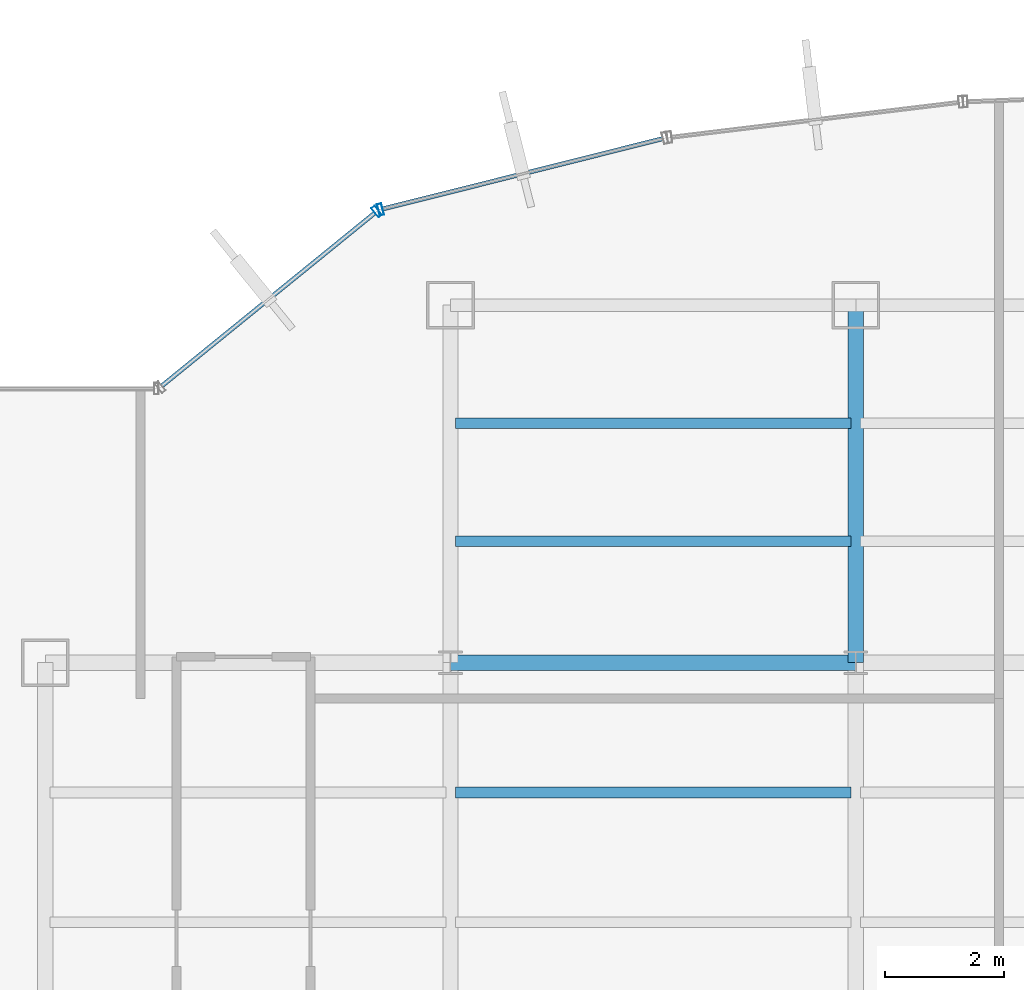
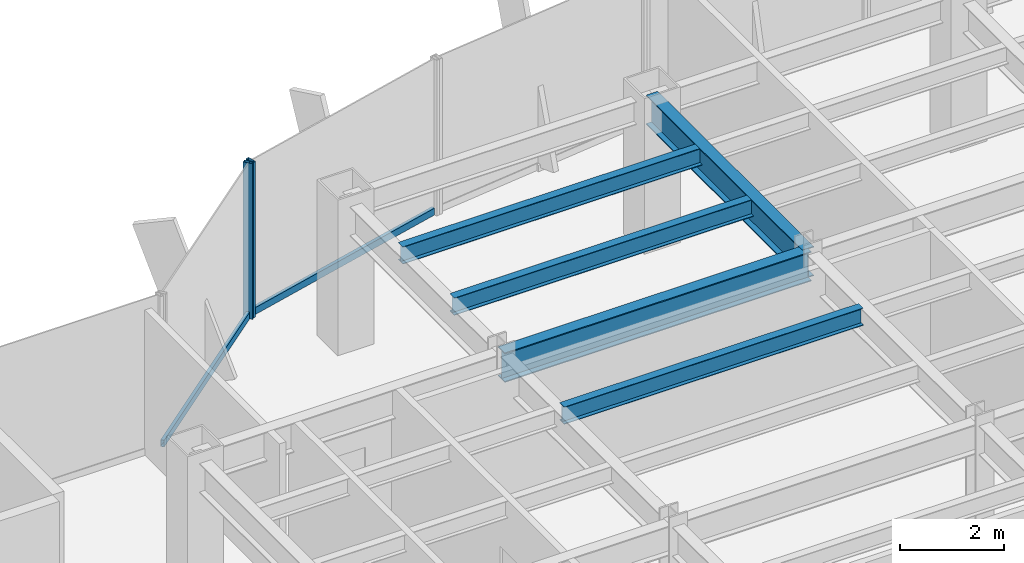
# One storey, part 14 of 26: 5 beams, 4 members, 2 elements without a shape of their own.
"""IFC4 building model written with IfcOpenShell, lengths in metres."""

from ifc_helpers import new_model, si_unit, derived_unit, direction, frame, origin, origin_2d, place, context, subcontext, project, spatial, hollow_rectangle, i_section, extrude, source, transform, mapped, material, material_profile, profile_set, type_object, element, aggregate, save


model = new_model("IFC4")

# Units and contexts
model_context = context("Model", 3, precision=1e-05, world=origin(), true_north=direction((0.0, 1.0)))
body_context = subcontext(model_context, "Body", "Model", "MODEL_VIEW")
ifc_project = project(units=[si_unit("LENGTHUNIT", "METRE"), si_unit("AREAUNIT", "SQUARE_METRE"), si_unit("VOLUMEUNIT", "CUBIC_METRE"), si_unit("PLANEANGLEUNIT", "RADIAN"), si_unit("MASSUNIT", "GRAM", prefix="KILO"), derived_unit("THERMALTRANSMITTANCEUNIT", [(si_unit("POWERUNIT", "WATT"), 1), (si_unit("LENGTHUNIT", "METRE"), -2), (si_unit("THERMODYNAMICTEMPERATUREUNIT", "KELVIN"), -1)])], contexts=[model_context])

# Site, building, storey
site_placement = place(None, origin())
site = spatial("IfcSite", under=ifc_project, at=site_placement, CompositionType="ELEMENT")
building_placement = place(site_placement, origin())
building = spatial("IfcBuilding", under=site, at=building_placement, Name="Skarnbrae Concourse Arena and Tower", CompositionType="ELEMENT")
storey_placement = place(building_placement, frame((0.0, 0.0, 125.14990234375)))
storey = spatial("IfcBuildingStorey", under=building, at=storey_placement, Name="L31", CompositionType="ELEMENT", Elevation=125.14990234375)

# Beams
ifc_material_1 = material(Name="Steel CSA G40.21 350W", Category="steel")
ifc_material_profile_1 = material_profile(ifc_material_1, i_section(OverallWidth=0.256103515625, OverallDepth=0.693115234375, WebThickness=0.014404296875, FlangeThickness=0.023681640625, at=origin_2d()), Name="W690X170")
ifc_profile_set_1 = profile_set([ifc_material_profile_1], Name="Steel CSA G40.21 350W")
beam_type_1 = type_object("IfcBeamType", Name="BM-GIRD-W690X170", PredefinedType="BEAM", material=ifc_profile_set_1)
shared_shape_1 = source(origin(), body_context, "Body", "SweptSolid", [
    extrude(i_section(OverallWidth=0.256103515625, OverallDepth=0.693115234375, WebThickness=0.014404296875, FlangeThickness=0.023681640625, at=origin_2d()), origin(), (0.0, 0.0, 1.0), 6.800048828125),
])
beam_1_placement = place(storey_placement, frame((14.39990234375, 34.39990234375, 3.0537109375), z_axis=(1.0, 0.0, 0.0), x_axis=(0.0, 1.0, 0.0)))
element("IfcBeam", 1, at=beam_1_placement, inside=storey, type_object=beam_type_1, Name="L31 Primary E-W girder Y34.4-2", PredefinedType="BEAM", context=body_context, shape_type="MappedRepresentation", body=[
    mapped(shared_shape_1, transform((0.0, 0.0, 0.0))),
])
shared_shape_2 = source(origin(), body_context, "Body", "SweptSolid", [
    extrude(i_section(OverallWidth=0.256103515625, OverallDepth=0.693115234375, WebThickness=0.014404296875, FlangeThickness=0.023681640625, at=origin_2d()), origin(), (0.0, 0.0, 1.0), 6.0),
])
beam_2_placement = place(storey_placement, frame((21.199951171875, 34.39990234375, 3.0537109375), z_axis=(0.0, 1.0, 0.0), x_axis=(-1.0, 0.0, 0.0)))
element("IfcBeam", 2, at=beam_2_placement, inside=storey, type_object=beam_type_1, Name="L31 Primary N-S girder X21.2-4", PredefinedType="BEAM", context=body_context, shape_type="MappedRepresentation", body=[
    mapped(shared_shape_2, transform((0.0, 0.0, 0.0))),
])
ifc_material_profile_2 = material_profile(ifc_material_1, i_section(OverallWidth=0.177978515625, OverallDepth=0.406982421875, WebThickness=0.0078125, FlangeThickness=0.0126953125, at=origin_2d()), Name="W410X60")
ifc_profile_set_2 = profile_set([ifc_material_profile_2], Name="Steel CSA G40.21 350W")
beam_type_2 = type_object("IfcBeamType", Name="BM-JOIST-W410X60", PredefinedType="JOIST", material=ifc_profile_set_2)
shared_shape_3 = source(origin(), body_context, "Body", "SweptSolid", [
    extrude(i_section(OverallWidth=0.177978515625, OverallDepth=0.406982421875, WebThickness=0.0078125, FlangeThickness=0.0126953125, at=origin_2d()), origin(), (0.0, 0.0, 1.0), 6.64013671875),
])
for number, where, z_axis, x_axis, name in (
    (3, (14.47998046875, 32.221923828125, 3.196533203125), (1.0, 0.0, 0.0), (0.0, 1.0, 0.0), "L31 Secondary floor joist 3.2.2"),
    (4, (14.47998046875, 36.43994140625, 3.196533203125), (1.0, 0.0, 0.0), (0.0, 1.0, 0.0), "L31 Secondary floor joist 4.1.1"),
    (5, (14.47998046875, 38.419921875, 3.196533203125), (1.0, 0.0, 0.0), (0.0, 1.0, 0.0), "L31 Secondary floor joist 4.2.1"),
):
    element("IfcBeam", number, at=place(storey_placement, frame(where, z_axis=z_axis, x_axis=x_axis)), inside=storey, type_object=beam_type_2, Name=name, PredefinedType="JOIST", context=body_context, shape_type="MappedRepresentation", body=[
        mapped(shared_shape_3, transform((0.0, 0.0, 0.0))),
    ])

# Curtain wall, member
ifc_material_2 = material(Name="Bronze anodised aluminium 6063-T6", Category="aluminium")
curtain_wall_type = type_object("IfcCurtainWallType", Name="CW-SYS-04-MIDZONE", PredefinedType="USERDEFINED", material=ifc_material_2)
curtain_wall_1_placement = place(storey_placement, origin())
curtain_wall_1 = element("IfcCurtainWall", 6, at=curtain_wall_1_placement, inside=storey, type_object=curtain_wall_type, Name="L31 Unitised curtain wall CW-L31-E14", ObjectType="UNITISED CURTAIN WALL", PredefinedType="USERDEFINED")
ifc_material_profile_3 = material_profile(ifc_material_2, hollow_rectangle(XDim=0.074951171875, YDim=0.195068359375, WallThickness=0.00439453125, at=origin_2d()), Name="ALU-MULL-75X195")
ifc_profile_set_3 = profile_set([ifc_material_profile_3], Name="Bronze anodised aluminium 6063-T6")
member_type_1 = type_object("IfcMemberType", Name="CWM-CW-04", PredefinedType="MULLION", material=ifc_profile_set_3)
shared_shape_4 = source(origin(), body_context, "Body", "SweptSolid", [
    extrude(hollow_rectangle(XDim=0.074951171875, YDim=0.195068359375, WallThickness=0.00439453125, at=origin_2d()), origin(), (0.0, 0.0, 1.0), 3.650146484375),
])
member_1_placement = place(storey_placement, frame((13.225341796875, 42.005126953125, 0.0), z_axis=(0.0, 0.0, 1.0), x_axis=(-0.969903046166, -0.243491439351, 0.0)))
member_1 = element("IfcMember", 7, at=member_1_placement, type_object=member_type_1, Name="CW-L31-E14 Mullion 2", PredefinedType="MULLION", context=body_context, shape_type="MappedRepresentation", body=[
    mapped(shared_shape_4, transform((0.0, 0.0, 0.0))),
])

# Curtain wall, members
curtain_wall_2_placement = place(storey_placement, origin())
curtain_wall_2 = element("IfcCurtainWall", 8, at=curtain_wall_2_placement, inside=storey, type_object=curtain_wall_type, Name="L31 Unitised curtain wall CW-L31-E15", ObjectType="UNITISED CURTAIN WALL", PredefinedType="USERDEFINED")
member_2_placement = place(storey_placement, frame((13.159912109375, 41.972412109375, 0.0), z_axis=(0.0, 0.0, 1.0), x_axis=(-0.776241200471, -0.630436038542, 0.0)))
member_2 = element("IfcMember", 9, at=member_2_placement, type_object=member_type_1, Name="CW-L31-E15 Mullion 1", PredefinedType="MULLION", context=body_context, shape_type="MappedRepresentation", body=[
    mapped(shared_shape_4, transform((0.0, 0.0, 0.0))),
])
ifc_material_profile_4 = material_profile(ifc_material_2, hollow_rectangle(XDim=0.074951171875, YDim=0.159912109375, WallThickness=0.00439453125, at=origin_2d()), Name="ALU-TRAN-75X160")
ifc_profile_set_4 = profile_set([ifc_material_profile_4], Name="Bronze anodised aluminium 6063-T6")
member_type_2 = type_object("IfcMemberType", Name="CWT-CW-04", PredefinedType="USERDEFINED", material=ifc_profile_set_4)
shared_shape_5 = source(origin(), body_context, "Body", "SweptSolid", [
    extrude(hollow_rectangle(XDim=0.074951171875, YDim=0.159912109375, WallThickness=0.00439453125, at=origin_2d()), origin(), (0.0, 0.0, 1.0), 4.602294921875),
])
member_3_placement = place(storey_placement, frame((13.130615234375, 41.94873046875, 0.080078125), z_axis=(-0.776251906445, -0.630422856297, 0.0), x_axis=(0.630422856297, -0.776251906445, 0.0)))
member_3 = element("IfcMember", 10, at=member_3_placement, type_object=member_type_2, Name="CW-L31-E15 Transom 1", ObjectType="TRANSOM", PredefinedType="USERDEFINED", context=body_context, shape_type="MappedRepresentation", body=[
    mapped(shared_shape_5, transform((0.0, 0.0, 0.0))),
])
aggregate(curtain_wall_2, [member_2, member_3])

# Member
shared_shape_6 = source(origin(), body_context, "Body", "SweptSolid", [
    extrude(hollow_rectangle(XDim=0.074951171875, YDim=0.159912109375, WallThickness=0.00439453125, at=origin_2d()), origin(), (0.0, 0.0, 1.0), 4.84716796875),
])
member_4_placement = place(storey_placement, frame((17.963134765625, 43.194580078125, 0.080078125), z_axis=(-0.969907992238, -0.243471736744, 0.0), x_axis=(0.243471736744, -0.969907992238, 0.0)))
member_4 = element("IfcMember", 11, at=member_4_placement, type_object=member_type_2, Name="CW-L31-E14 Transom 1", ObjectType="TRANSOM", PredefinedType="USERDEFINED", context=body_context, shape_type="MappedRepresentation", body=[
    mapped(shared_shape_6, transform((0.0, 0.0, 0.0))),
])

aggregate(curtain_wall_1, [member_1, member_4])

save(model, "model.ifc")
